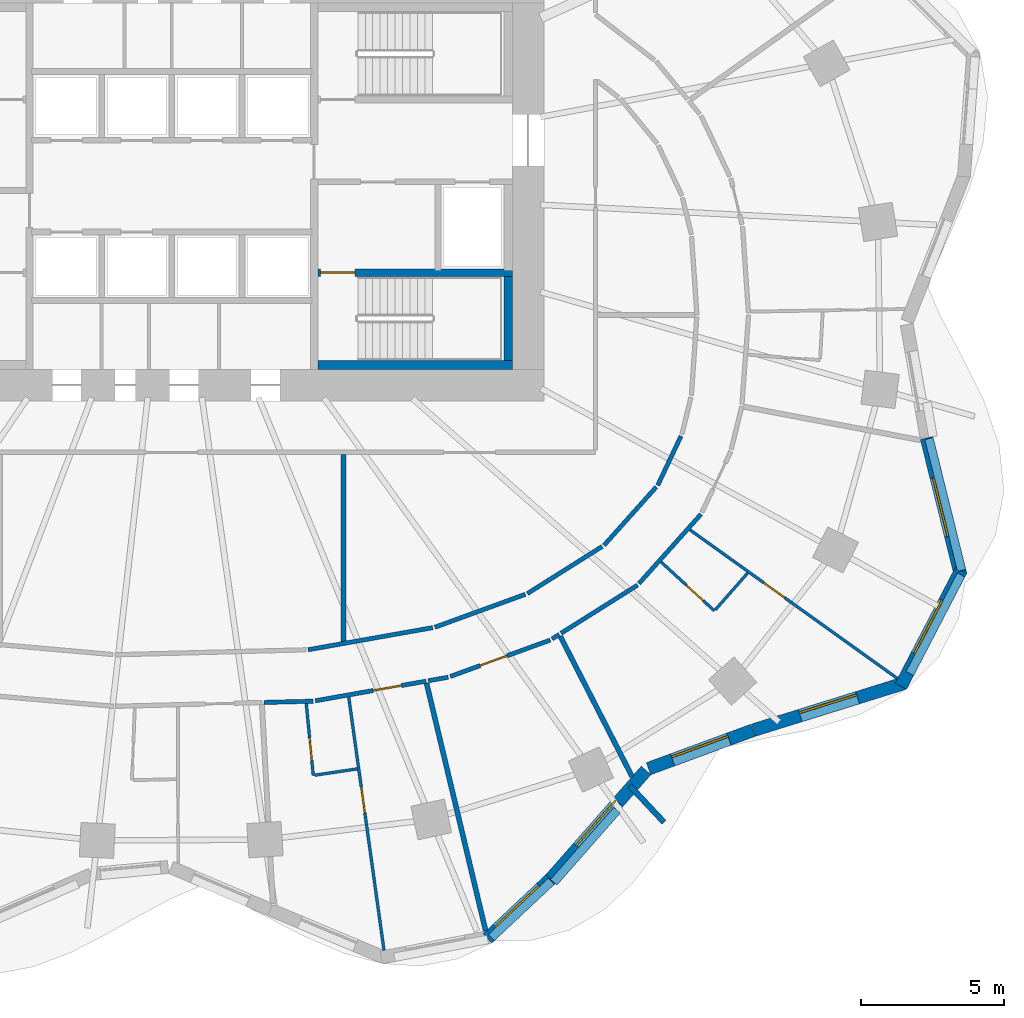
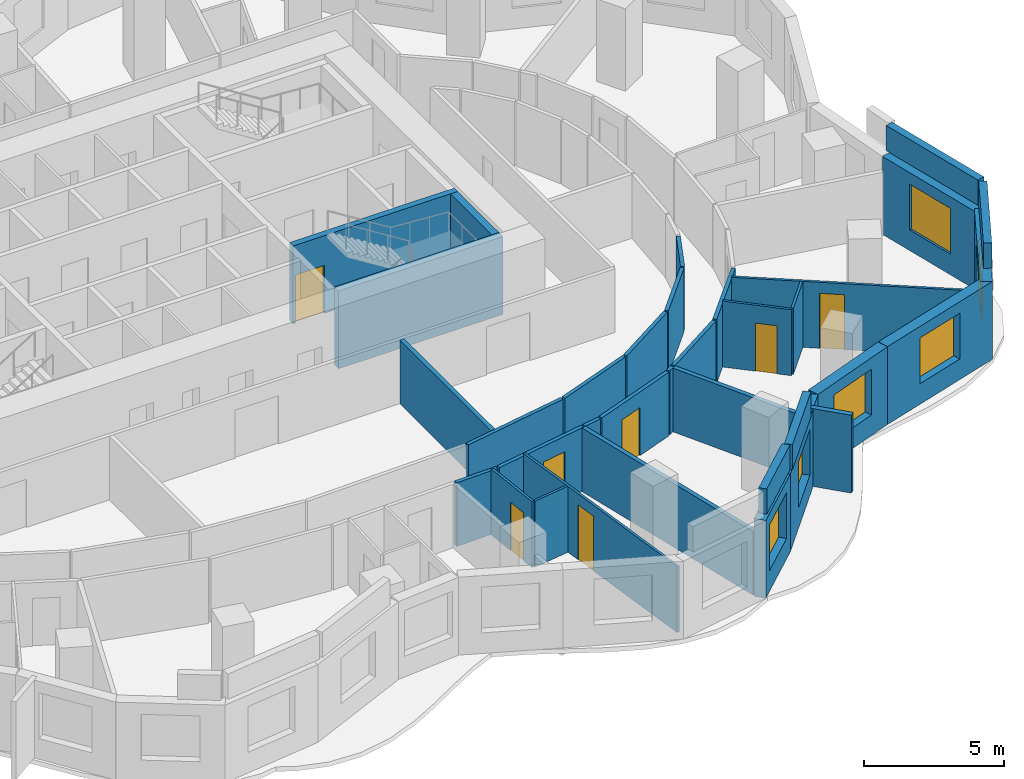
# One storey, part 6 of 10: 35 walls, 7 doors, 6 windows, 13 openings.
"""IFC4 building model written with IfcOpenShell, lengths in metres."""

from ifc_helpers import new_model, si_unit, direction, frame, frame_2d, origin, place, context, subcontext, project, spatial, rectangle, extrude, material, layer, layer_set, type_object, element, fill, save


model = new_model("IFC4")

# Units and contexts
model_context = context("Model", 3, precision=1e-05, world=origin(), true_north=direction((0.0, 1.0)))
body_context = subcontext(model_context, "Body", "Model", "MODEL_VIEW")
ifc_project = project(units=[si_unit("LENGTHUNIT", "METRE"), si_unit("AREAUNIT", "SQUARE_METRE"), si_unit("VOLUMEUNIT", "CUBIC_METRE"), si_unit("PLANEANGLEUNIT", "RADIAN"), si_unit("MASSUNIT", "GRAM", prefix="KILO")], contexts=[model_context])

# Site, building, storey
site_placement = place(None, origin())
site = spatial("IfcSite", under=ifc_project, at=site_placement, CompositionType="ELEMENT")
building_placement = place(site_placement, origin())
building = spatial("IfcBuilding", under=site, at=building_placement, Name="Rubra Terraces Tower", CompositionType="ELEMENT")
storey_placement = place(building_placement, frame((0.0, 0.0, 110.39990234375)))
storey = spatial("IfcBuildingStorey", under=building, at=storey_placement, Name="L26", CompositionType="ELEMENT", Elevation=110.39990234375)

# Walls
ifc_material_1 = material(Name="Twin plasterboard on staggered steel stud, acoustic mineral wool", Category="steel")
ifc_layer_1 = layer(ifc_material_1, 0.175048828125)
ifc_layer_set_1 = layer_set([ifc_layer_1], Name="Twin plasterboard on staggered steel stud, acoustic mineral wool")
wall_type_1 = type_object("IfcWallType", Name="ACOUSTIC PARTY WALL 175", PredefinedType="PARTITIONING", material=ifc_layer_set_1)
wall_1_placement = place(storey_placement, frame((10.96728515625, -21.52099609375, 0.0), z_axis=(0.0, 0.0, 1.0), x_axis=(-0.232333962302, 0.972636072723, 0.0)))
element("IfcWall", 1, at=wall_1_placement, inside=storey, type_object=wall_type_1, Name="PARTITION", PredefinedType="PARTITIONING", context=body_context, shape_type="SweptSolid", body=[
    extrude(rectangle(XDim=8.897216796875, YDim=0.175048828125, at=frame_2d((4.44873046875, 0.0))), origin(), (0.0, 0.0, 1.0), 2.7841796875),
])
wall_2_placement = place(storey_placement, frame((16.078369140625, -16.12451171875, 0.0), z_axis=(0.0, 0.0, 1.0), x_axis=(-0.455535500666, 0.890217618132, 0.0)))
element("IfcWall", 2, at=wall_2_placement, inside=storey, type_object=wall_type_1, Name="PARTITION", PredefinedType="PARTITIONING", context=body_context, shape_type="SweptSolid", body=[
    extrude(rectangle(XDim=5.50244140625, YDim=0.175048828125, at=frame_2d((2.751220703125, 0.0))), origin(), (0.0, 0.0, 1.0), 2.7841796875),
])
wall_3_placement = place(storey_placement, frame((6.0, -11.40234375, 0.0), z_axis=(0.0, 0.0, 1.0), x_axis=(0.0, 1.0, 0.0)))
element("IfcWall", 3, at=wall_3_placement, inside=storey, type_object=wall_type_1, Name="PARTITION", PredefinedType="PARTITIONING", context=body_context, shape_type="SweptSolid", body=[
    extrude(rectangle(XDim=6.52734375, YDim=0.175048828125, at=frame_2d((3.263671875, 0.0))), origin(), (0.0, 0.0, 1.0), 2.7841796875),
])

# Wall, opening, window
ifc_material_2 = material(Name="Brick masonry red-brown", Category="masonry")
ifc_layer_2 = layer(ifc_material_2, 0.449951171875)
ifc_layer_set_2 = layer_set([ifc_layer_2], Name="Brick masonry red-brown")
wall_type_2 = type_object("IfcWallType", Name="Brick facade wall 450", PredefinedType="SOLIDWALL", material=ifc_layer_set_2)
wall_4_placement = place(storey_placement, frame((11.027099609375, -21.779052734375, 0.0), z_axis=(0.0, 0.0, 1.0), x_axis=(0.728871214251, 0.684650825631, 0.0)))
wall_4 = element("IfcWall", 4, at=wall_4_placement, inside=storey, type_object=wall_type_2, Name="Facade wall L26 bay 34", PredefinedType="SOLIDWALL", context=body_context, shape_type="SweptSolid", body=[
    extrude(rectangle(XDim=3.031005859375, YDim=0.449951171875, at=frame_2d((1.515625, 0.0))), origin(), (0.0, 0.0, 1.0), 3.400146484375),
])
opening_1_placement = place(wall_4_placement, frame((0.465576171875, 0.0, 0.89990234375)))
opening_1 = element("IfcOpeningElement", 5, at=opening_1_placement, cuts=wall_4, Name="Opening W1", PredefinedType="OPENING", context=body_context, shape_type="SweptSolid", body=[
    extrude(rectangle(XDim=2.10009765625, YDim=2.0, at=frame_2d((1.050048828125, 1.0))), frame((0.0, 0.23486328125, 0.0), z_axis=(0.0, -1.0, 0.0), x_axis=(1.0, 0.0, 0.0)), (0.0, 0.0, 1.0), 0.469970703125),
])
ifc_material_3 = material(Name="Clear glass in aluminium frame", Category="aluminium")
window_type = type_object("IfcWindowType", Name="Fixed deep-set window 2100 x 2000", PartitioningType="SINGLE_PANEL", PredefinedType="WINDOW", material=ifc_material_3)
window_1_placement = place(opening_1_placement, origin())
window_1 = element("IfcWindow", 6, at=window_1_placement, inside=storey, type_object=window_type, Name="Window L26 bay 34", OverallHeight=2.0, OverallWidth=2.10009765625, PartitioningType="SINGLE_PANEL", PredefinedType="WINDOW", context=body_context, shape_type="SweptSolid", body=[
    extrude(rectangle(XDim=2.10009765625, YDim=2.0, at=frame_2d((1.050048828125, 1.0))), frame((0.0, 0.135009765625, 0.0), z_axis=(0.0, -1.0, 0.0), x_axis=(1.0, 0.0, 0.0)), (0.0, 0.0, 1.0), 0.06005859375),
])
fill(opening_1, window_1)

wall_5_placement = place(storey_placement, frame((13.221435546875, -19.71923828125, 0.0), z_axis=(0.0, 0.0, 1.0), x_axis=(0.660424908916, 0.750892095899, 0.0)))
wall_5 = element("IfcWall", 7, at=wall_5_placement, inside=storey, type_object=wall_type_2, Name="Facade wall L26 bay 35", PredefinedType="SOLIDWALL", context=body_context, shape_type="SweptSolid", body=[
    extrude(rectangle(XDim=5.07080078125, YDim=0.449951171875, at=frame_2d((2.535400390625, 0.0))), origin(), (0.0, 0.0, 1.0), 3.400146484375),
])
opening_2_placement = place(wall_5_placement, frame((1.4853515625, 0.0, 0.89990234375)))
opening_2 = element("IfcOpeningElement", 8, at=opening_2_placement, cuts=wall_5, Name="Opening W1", PredefinedType="OPENING", context=body_context, shape_type="SweptSolid", body=[
    extrude(rectangle(XDim=2.10009765625, YDim=2.0, at=frame_2d((1.050048828125, 1.0))), frame((0.0, 0.23486328125, 0.0), z_axis=(0.0, -1.0, 0.0), x_axis=(1.0, 0.0, 0.0)), (0.0, 0.0, 1.0), 0.469970703125),
])
window_2_placement = place(opening_2_placement, origin())
window_2 = element("IfcWindow", 9, at=window_2_placement, inside=storey, type_object=window_type, Name="Window L26 bay 35", OverallHeight=2.0, OverallWidth=2.10009765625, PartitioningType="SINGLE_PANEL", PredefinedType="WINDOW", context=body_context, shape_type="SweptSolid", body=[
    extrude(rectangle(XDim=2.10009765625, YDim=2.0, at=frame_2d((1.050048828125, 1.0))), frame((0.0, 0.135009765625, 0.0), z_axis=(0.0, -1.0, 0.0), x_axis=(1.0, 0.0, 0.0)), (0.0, 0.0, 1.0), 0.06005859375),
])
fill(opening_2, window_2)

wall_6_placement = place(storey_placement, frame((16.654052734375, -15.85205078125, 0.0), z_axis=(0.0, 0.0, 1.0), x_axis=(0.938636568132, 0.344907803572, 0.0)))
wall_6 = element("IfcWall", 10, at=wall_6_placement, inside=storey, type_object=wall_type_2, Name="Facade wall L26 bay 36", PredefinedType="SOLIDWALL", context=body_context, shape_type="SweptSolid", body=[
    extrude(rectangle(XDim=3.887451171875, YDim=0.449951171875, at=frame_2d((1.94384765625, 0.0))), origin(), (0.0, 0.0, 1.0), 3.400146484375),
])
opening_3_placement = place(wall_6_placement, frame((0.893798828125, 0.0, 0.89990234375)))
opening_3 = element("IfcOpeningElement", 11, at=opening_3_placement, cuts=wall_6, Name="Opening W1", PredefinedType="OPENING", context=body_context, shape_type="SweptSolid", body=[
    extrude(rectangle(XDim=2.10009765625, YDim=2.0, at=frame_2d((1.050048828125, 1.0))), frame((0.0, 0.23486328125, 0.0), z_axis=(0.0, -1.0, 0.0), x_axis=(1.0, 0.0, 0.0)), (0.0, 0.0, 1.0), 0.469970703125),
])
window_3_placement = place(opening_3_placement, origin())
window_3 = element("IfcWindow", 12, at=window_3_placement, inside=storey, type_object=window_type, Name="Window L26 bay 36", OverallHeight=2.0, OverallWidth=2.10009765625, PartitioningType="SINGLE_PANEL", PredefinedType="WINDOW", context=body_context, shape_type="SweptSolid", body=[
    extrude(rectangle(XDim=2.10009765625, YDim=2.0, at=frame_2d((1.050048828125, 1.0))), frame((0.0, 0.135009765625, 0.0), z_axis=(0.0, -1.0, 0.0), x_axis=(1.0, 0.0, 0.0)), (0.0, 0.0, 1.0), 0.06005859375),
])
fill(opening_3, window_3)

wall_7_placement = place(storey_placement, frame((20.31591796875, -14.506591796875, 0.0), z_axis=(0.0, 0.0, 1.0), x_axis=(0.954807195185, 0.297225873743, 0.0)))
wall_7 = element("IfcWall", 13, at=wall_7_placement, inside=storey, type_object=wall_type_2, Name="Facade wall L26 bay 37", PredefinedType="SOLIDWALL", context=body_context, shape_type="SweptSolid", body=[
    extrude(rectangle(XDim=5.5263671875, YDim=0.449951171875, at=frame_2d((2.76318359375, 0.0))), origin(), (0.0, 0.0, 1.0), 3.400146484375),
])
opening_4_placement = place(wall_7_placement, frame((1.713134765625, 0.0, 0.89990234375)))
opening_4 = element("IfcOpeningElement", 14, at=opening_4_placement, cuts=wall_7, Name="Opening W1", PredefinedType="OPENING", context=body_context, shape_type="SweptSolid", body=[
    extrude(rectangle(XDim=2.10009765625, YDim=2.0, at=frame_2d((1.050048828125, 1.0))), frame((0.0, 0.23486328125, 0.0), z_axis=(0.0, -1.0, 0.0), x_axis=(1.0, 0.0, 0.0)), (0.0, 0.0, 1.0), 0.469970703125),
])
window_4_placement = place(opening_4_placement, origin())
window_4 = element("IfcWindow", 15, at=window_4_placement, inside=storey, type_object=window_type, Name="Window L26 bay 37", OverallHeight=2.0, OverallWidth=2.10009765625, PartitioningType="SINGLE_PANEL", PredefinedType="WINDOW", context=body_context, shape_type="SweptSolid", body=[
    extrude(rectangle(XDim=2.10009765625, YDim=2.0, at=frame_2d((1.050048828125, 1.0))), frame((0.0, 0.135009765625, 0.0), z_axis=(0.0, -1.0, 0.0), x_axis=(1.0, 0.0, 0.0)), (0.0, 0.0, 1.0), 0.06005859375),
])
fill(opening_4, window_4)

wall_8_placement = place(storey_placement, frame((25.46533203125, -12.97314453125, 0.0), z_axis=(0.0, 0.0, 1.0), x_axis=(0.461288789222, 0.887250050965, 0.0)))
wall_8 = element("IfcWall", 16, at=wall_8_placement, inside=storey, type_object=wall_type_2, Name="Facade wall L26 bay 38", PredefinedType="SOLIDWALL", context=body_context, shape_type="SweptSolid", body=[
    extrude(rectangle(XDim=4.568115234375, YDim=0.449951171875, at=frame_2d((2.2841796875, 0.0))), origin(), (0.0, 0.0, 1.0), 3.400146484375),
])
opening_5_placement = place(wall_8_placement, frame((1.23388671875, 0.0, 0.89990234375)))
opening_5 = element("IfcOpeningElement", 17, at=opening_5_placement, cuts=wall_8, Name="Opening W1", PredefinedType="OPENING", context=body_context, shape_type="SweptSolid", body=[
    extrude(rectangle(XDim=2.10009765625, YDim=2.0, at=frame_2d((1.050048828125, 1.0))), frame((0.0, 0.23486328125, 0.0), z_axis=(0.0, -1.0, 0.0), x_axis=(1.0, 0.0, 0.0)), (0.0, 0.0, 1.0), 0.469970703125),
])
window_5_placement = place(opening_5_placement, origin())
window_5 = element("IfcWindow", 18, at=window_5_placement, inside=storey, type_object=window_type, Name="Window L26 bay 38", OverallHeight=2.0, OverallWidth=2.10009765625, PartitioningType="SINGLE_PANEL", PredefinedType="WINDOW", context=body_context, shape_type="SweptSolid", body=[
    extrude(rectangle(XDim=2.10009765625, YDim=2.0, at=frame_2d((1.050048828125, 1.0))), frame((0.0, 0.135009765625, 0.0), z_axis=(0.0, -1.0, 0.0), x_axis=(1.0, 0.0, 0.0)), (0.0, 0.0, 1.0), 0.06005859375),
])
fill(opening_5, window_5)

wall_9_placement = place(storey_placement, frame((27.552001953125, -9.07177734375, 0.0), z_axis=(0.0, 0.0, 1.0), x_axis=(-0.240629941406, 0.970616933347, 0.0)))
wall_9 = element("IfcWall", 19, at=wall_9_placement, inside=storey, type_object=wall_type_2, Name="Facade wall L26 bay 39", PredefinedType="SOLIDWALL", context=body_context, shape_type="SweptSolid", body=[
    extrude(rectangle(XDim=4.91455078125, YDim=0.449951171875, at=frame_2d((2.457275390625, 0.0))), origin(), (0.0, 0.0, 1.0), 3.400146484375),
])
opening_6_placement = place(wall_9_placement, frame((1.407470703125, 0.0, 0.89990234375)))
opening_6 = element("IfcOpeningElement", 20, at=opening_6_placement, cuts=wall_9, Name="Opening W1", PredefinedType="OPENING", context=body_context, shape_type="SweptSolid", body=[
    extrude(rectangle(XDim=2.10009765625, YDim=2.0, at=frame_2d((1.050048828125, 1.0))), frame((0.0, 0.23486328125, 0.0), z_axis=(0.0, -1.0, 0.0), x_axis=(1.0, 0.0, 0.0)), (0.0, 0.0, 1.0), 0.469970703125),
])
window_6_placement = place(opening_6_placement, origin())
window_6 = element("IfcWindow", 21, at=window_6_placement, inside=storey, type_object=window_type, Name="Window L26 bay 39", OverallHeight=2.0, OverallWidth=2.10009765625, PartitioningType="SINGLE_PANEL", PredefinedType="WINDOW", context=body_context, shape_type="SweptSolid", body=[
    extrude(rectangle(XDim=2.10009765625, YDim=2.0, at=frame_2d((1.050048828125, 1.0))), frame((0.0, 0.135009765625, 0.0), z_axis=(0.0, -1.0, 0.0), x_axis=(1.0, 0.0, 0.0)), (0.0, 0.0, 1.0), 0.06005859375),
])
fill(opening_6, window_6)

# Walls
ifc_layer_3 = layer(ifc_material_2, 0.300048828125)
ifc_layer_set_3 = layer_set([ifc_layer_3], Name="Brick masonry red-brown")
wall_type_3 = type_object("IfcWallType", Name="Brick parapet 300", PredefinedType="PARAPET", material=ifc_layer_set_3)
wall_10_placement = place(storey_placement, frame((11.163818359375, -21.75341796875, 3.60009765625), z_axis=(0.0, 0.0, 1.0), x_axis=(0.72886475222, 0.684657704967, 0.0)))
element("IfcWall", 22, at=wall_10_placement, inside=storey, type_object=wall_type_3, Name="Parapet L26 bay 34", PredefinedType="PARAPET", context=body_context, shape_type="SweptSolid", body=[
    extrude(rectangle(XDim=2.877197265625, YDim=0.300048828125, at=frame_2d((1.4384765625, 0.0))), origin(), (0.0, 0.0, 1.0), 1.10009765625),
])
wall_11_placement = place(storey_placement, frame((13.338623046875, -19.822265625, 3.60009765625), z_axis=(0.0, 0.0, 1.0), x_axis=(0.660445690116, 0.7508738179, 0.0)))
element("IfcWall", 23, at=wall_11_placement, inside=storey, type_object=wall_type_3, Name="Parapet L26 bay 35", PredefinedType="PARAPET", context=body_context, shape_type="SweptSolid", body=[
    extrude(rectangle(XDim=3.353271484375, YDim=0.300048828125, at=frame_2d((1.6767578125, 0.0))), origin(), (0.0, 0.0, 1.0), 1.10009765625),
])
wall_12_placement = place(storey_placement, frame((25.781982421875, -12.52685546875, 3.60009765625), z_axis=(0.0, 0.0, 1.0), x_axis=(0.461218103562, 0.88728679746, 0.0)))
element("IfcWall", 24, at=wall_12_placement, inside=storey, type_object=wall_type_3, Name="Parapet L26 bay 38", PredefinedType="PARAPET", context=body_context, shape_type="SweptSolid", body=[
    extrude(rectangle(XDim=3.8828125, YDim=0.300048828125, at=frame_2d((1.94140625, 0.0))), origin(), (0.0, 0.0, 1.0), 1.10009765625),
])
wall_13_placement = place(storey_placement, frame((27.591796875, -8.9208984375, 3.60009765625), z_axis=(0.0, 0.0, 1.0), x_axis=(-0.240669381496, 0.970607154729, 0.0)))
element("IfcWall", 25, at=wall_13_placement, inside=storey, type_object=wall_type_3, Name="Parapet L26 bay 39", PredefinedType="PARAPET", context=body_context, shape_type="SweptSolid", body=[
    extrude(rectangle(XDim=4.741455078125, YDim=0.300048828125, at=frame_2d((2.37060546875, 0.0))), origin(), (0.0, 0.0, 1.0), 1.10009765625),
])
ifc_layer_4 = layer(ifc_material_2, 0.199951171875)
ifc_layer_set_4 = layer_set([ifc_layer_4], Name="Brick masonry red-brown")
wall_type_4 = type_object("IfcWallType", Name="Brick wind fin 200", PredefinedType="SOLIDWALL", material=ifc_layer_set_4)
wall_14_placement = place(storey_placement, frame((15.9951171875, -16.444091796875, 0.0), z_axis=(0.0, 0.0, 1.0), x_axis=(0.683852936488, -0.729619874494, 0.0)))
element("IfcWall", 26, at=wall_14_placement, inside=storey, type_object=wall_type_4, Name="Wind fin L26 21", PredefinedType="SOLIDWALL", context=body_context, shape_type="SweptSolid", body=[
    extrude(rectangle(XDim=1.749755859375, YDim=0.199951171875, at=frame_2d((0.875, 0.0))), origin(), (0.0, 0.0, 1.0), 3.400146484375),
])
ifc_material_4 = material(Name="Plasterboard on steel stud, mineral wool infill", Category="steel")
ifc_layer_5 = layer(ifc_material_4, 0.14990234375)
ifc_layer_set_5 = layer_set([ifc_layer_5], Name="Plasterboard on steel stud, mineral wool infill")
wall_type_5 = type_object("IfcWallType", Name="CORRIDOR PARTITION 150", PredefinedType="PARTITIONING", material=ifc_layer_set_5)
wall_15_placement = place(storey_placement, frame((3.22119140625, -13.537841796875, 0.0), z_axis=(0.0, 0.0, 1.0), x_axis=(0.999666376444, 0.025828972248, 0.0)))
element("IfcWall", 27, at=wall_15_placement, inside=storey, type_object=wall_type_5, Name="PARTITION", PredefinedType="PARTITIONING", context=body_context, shape_type="SweptSolid", body=[
    extrude(rectangle(XDim=1.72021484375, YDim=0.14990234375, at=frame_2d((0.860107421875, 0.0))), origin(), (0.0, 0.0, 1.0), 2.7841796875),
])

# Wall, opening, door
wall_16_placement = place(storey_placement, frame((5.0146484375, -13.480224609375, 0.0), z_axis=(0.0, 0.0, 1.0), x_axis=(0.984634298251, 0.174629031689, 0.0)))
wall_16 = element("IfcWall", 28, at=wall_16_placement, inside=storey, type_object=wall_type_5, Name="PARTITION", PredefinedType="PARTITIONING", context=body_context, shape_type="SweptSolid", body=[
    extrude(rectangle(XDim=3.928466796875, YDim=0.14990234375, at=frame_2d((1.96435546875, 0.0))), origin(), (0.0, 0.0, 1.0), 2.7841796875),
])
opening_7_placement = place(wall_16_placement, frame((2.051025390625, 0.0, 0.0)))
opening_7 = element("IfcOpeningElement", 29, at=opening_7_placement, cuts=wall_16, Name="Opening 26-109", PredefinedType="OPENING", context=body_context, shape_type="SweptSolid", body=[
    extrude(rectangle(XDim=1.0, YDim=2.10009765625, at=frame_2d((0.5, 1.050048828125))), frame((0.0, 0.0849609375, 0.0), z_axis=(0.0, -1.0, 0.0), x_axis=(1.0, 0.0, 0.0)), (0.0, 0.0, 1.0), 0.169921875),
])
ifc_material_5 = material(Name="Painted timber door leaf", Category="wood")
door_type_1 = type_object("IfcDoorType", Name="ROOM DOOR 1000 X 2100", OperationType="SINGLE_SWING_LEFT", PredefinedType="DOOR", material=ifc_material_5)
door_1_placement = place(opening_7_placement, origin())
door_1 = element("IfcDoor", 30, at=door_1_placement, inside=storey, type_object=door_type_1, Name="DOOR 26-109", OperationType="SINGLE_SWING_RIGHT", OverallHeight=2.10009765625, OverallWidth=1.0, PredefinedType="DOOR", context=body_context, shape_type="SweptSolid", body=[
    extrude(rectangle(XDim=1.0, YDim=2.10009765625, at=frame_2d((0.5, 1.050048828125))), frame((0.0, 0.02490234375, 0.0), z_axis=(0.0, -1.0, 0.0), x_axis=(1.0, 0.0, 0.0)), (0.0, 0.0, 1.0), 0.050048828125),
])
fill(opening_7, door_1)

# Wall
wall_17_placement = place(storey_placement, frame((8.95654296875, -12.781005859375, 0.0), z_axis=(0.0, 0.0, 1.0), x_axis=(0.984683194841, 0.17435310665, 0.0)))
element("IfcWall", 31, at=wall_17_placement, inside=storey, type_object=wall_type_5, Name="PARTITION", PredefinedType="PARTITIONING", context=body_context, shape_type="SweptSolid", body=[
    extrude(rectangle(XDim=0.71142578125, YDim=0.14990234375, at=frame_2d((0.355712890625, 0.0))), origin(), (0.0, 0.0, 1.0), 2.7841796875),
])

# Wall, opening, door
wall_18_placement = place(storey_placement, frame((9.7275390625, -12.631103515625, 0.0), z_axis=(0.0, 0.0, 1.0), x_axis=(0.939626438181, 0.342201923826, 0.0)))
wall_18 = element("IfcWall", 32, at=wall_18_placement, inside=storey, type_object=wall_type_5, Name="PARTITION", PredefinedType="PARTITIONING", context=body_context, shape_type="SweptSolid", body=[
    extrude(rectangle(XDim=3.71630859375, YDim=0.14990234375, at=frame_2d((1.858154296875, 0.0))), origin(), (0.0, 0.0, 1.0), 2.7841796875),
])
opening_8_placement = place(wall_18_placement, frame((1.114990234375, 0.0, 0.0)))
opening_8 = element("IfcOpeningElement", 33, at=opening_8_placement, cuts=wall_18, Name="Opening 26-110", PredefinedType="OPENING", context=body_context, shape_type="SweptSolid", body=[
    extrude(rectangle(XDim=1.0, YDim=2.10009765625, at=frame_2d((0.5, 1.050048828125))), frame((0.0, 0.0849609375, 0.0), z_axis=(0.0, -1.0, 0.0), x_axis=(1.0, 0.0, 0.0)), (0.0, 0.0, 1.0), 0.169921875),
])
door_2_placement = place(opening_8_placement, origin())
door_2 = element("IfcDoor", 34, at=door_2_placement, inside=storey, type_object=door_type_1, Name="DOOR 26-110", OperationType="SINGLE_SWING_RIGHT", OverallHeight=2.10009765625, OverallWidth=1.0, PredefinedType="DOOR", context=body_context, shape_type="SweptSolid", body=[
    extrude(rectangle(XDim=1.0, YDim=2.10009765625, at=frame_2d((0.5, 1.050048828125))), frame((0.0, 0.02490234375, 0.0), z_axis=(0.0, -1.0, 0.0), x_axis=(1.0, 0.0, 0.0)), (0.0, 0.0, 1.0), 0.050048828125),
])
fill(opening_8, door_2)

# Walls
wall_19_placement = place(storey_placement, frame((13.282958984375, -11.3193359375, 0.0), z_axis=(0.0, 0.0, 1.0), x_axis=(0.846490250249, 0.532404222592, 0.0)))
element("IfcWall", 35, at=wall_19_placement, inside=storey, type_object=wall_type_5, Name="PARTITION", PredefinedType="PARTITIONING", context=body_context, shape_type="SweptSolid", body=[
    extrude(rectangle(XDim=0.30078125, YDim=0.14990234375, at=frame_2d((0.150390625, 0.0))), origin(), (0.0, 0.0, 1.0), 2.7841796875),
])
wall_20_placement = place(storey_placement, frame((13.60107421875, -11.119140625, 0.0), z_axis=(0.0, 0.0, 1.0), x_axis=(0.846302624213, 0.532702419978, 0.0)))
element("IfcWall", 36, at=wall_20_placement, inside=storey, type_object=wall_type_5, Name="PARTITION", PredefinedType="PARTITIONING", context=body_context, shape_type="SweptSolid", body=[
    extrude(rectangle(XDim=3.154541015625, YDim=0.14990234375, at=frame_2d((1.5771484375, 0.0))), origin(), (0.0, 0.0, 1.0), 2.7841796875),
])
wall_21_placement = place(storey_placement, frame((16.32080078125, -9.3828125, 0.0), z_axis=(0.0, 0.0, 1.0), x_axis=(0.666834356165, 0.745205972492, 0.0)))
element("IfcWall", 37, at=wall_21_placement, inside=storey, type_object=wall_type_5, Name="PARTITION", PredefinedType="PARTITIONING", context=body_context, shape_type="SweptSolid", body=[
    extrude(rectangle(XDim=3.252197265625, YDim=0.14990234375, at=frame_2d((1.6259765625, 0.0))), origin(), (0.0, 0.0, 1.0), 2.7841796875),
])
wall_22_placement = place(storey_placement, frame((17.7900390625, -4.2314453125, 0.0), z_axis=(0.0, 0.0, 1.0), x_axis=(-0.428042272357, -0.90375871397, 0.0)))
element("IfcWall", 38, at=wall_22_placement, inside=storey, type_object=wall_type_5, Name="PARTITION", PredefinedType="PARTITIONING", context=body_context, shape_type="SweptSolid", body=[
    extrude(rectangle(XDim=1.905029296875, YDim=0.14990234375, at=frame_2d((0.95263671875, 0.0))), origin(), (0.0, 0.0, 1.0), 2.7841796875),
])
wall_23_placement = place(storey_placement, frame((16.924560546875, -6.009033203125, 0.0), z_axis=(0.0, 0.0, 1.0), x_axis=(-0.666893859891, -0.745152722359, 0.0)))
element("IfcWall", 39, at=wall_23_placement, inside=storey, type_object=wall_type_5, Name="PARTITION", PredefinedType="PARTITIONING", context=body_context, shape_type="SweptSolid", body=[
    extrude(rectangle(XDim=2.739013671875, YDim=0.14990234375, at=frame_2d((1.36962890625, 0.0))), origin(), (0.0, 0.0, 1.0), 2.7841796875),
])
wall_24_placement = place(storey_placement, frame((15.034423828125, -8.090087890625, 0.0), z_axis=(0.0, 0.0, 1.0), x_axis=(-0.846322679414, -0.532670557014, 0.0)))
element("IfcWall", 40, at=wall_24_placement, inside=storey, type_object=wall_type_5, Name="PARTITION", PredefinedType="PARTITIONING", context=body_context, shape_type="SweptSolid", body=[
    extrude(rectangle(XDim=3.08544921875, YDim=0.14990234375, at=frame_2d((1.542724609375, 0.0))), origin(), (0.0, 0.0, 1.0), 2.7841796875),
])
wall_25_placement = place(storey_placement, frame((12.3525390625, -9.759521484375, 0.0), z_axis=(0.0, 0.0, 1.0), x_axis=(-0.939632450309, -0.342185415127, 0.0)))
element("IfcWall", 41, at=wall_25_placement, inside=storey, type_object=wall_type_5, Name="PARTITION", PredefinedType="PARTITIONING", context=body_context, shape_type="SweptSolid", body=[
    extrude(rectangle(XDim=3.36767578125, YDim=0.14990234375, at=frame_2d((1.683837890625, 0.0))), origin(), (0.0, 0.0, 1.0), 2.7841796875),
])
wall_26_placement = place(storey_placement, frame((9.114501953125, -10.925048828125, 0.0), z_axis=(0.0, 0.0, 1.0), x_axis=(-0.984632605417, -0.174638576352, 0.0)))
element("IfcWall", 42, at=wall_26_placement, inside=storey, type_object=wall_type_5, Name="PARTITION", PredefinedType="PARTITIONING", context=body_context, shape_type="SweptSolid", body=[
    extrude(rectangle(XDim=4.423095703125, YDim=0.14990234375, at=frame_2d((2.21142578125, 0.0))), origin(), (0.0, 0.0, 1.0), 2.7841796875),
])
ifc_material_6 = material(Name="Concrete C40", Category="concrete")
ifc_layer_6 = layer(ifc_material_6, 0.300048828125)
ifc_layer_set_6 = layer_set([ifc_layer_6], Name="Concrete C40")
wall_type_6 = type_object("IfcWallType", Name="Core lining wall 300 concrete", PredefinedType="SOLIDWALL", material=ifc_layer_set_6)
wall_27_placement = place(storey_placement, frame((11.75, 1.35009765625, 0.0), z_axis=(0.0, 0.0, 1.0), x_axis=(0.0, -1.0, 0.0)))
element("IfcWall", 43, at=wall_27_placement, inside=storey, type_object=wall_type_6, Name="CORE LINING WALL L26", PredefinedType="SOLIDWALL", context=body_context, shape_type="SweptSolid", body=[
    extrude(rectangle(XDim=2.9501953125, YDim=0.300048828125, at=frame_2d((1.47509765625, 0.0))), origin(), (0.0, 0.0, 1.0), 3.400146484375),
])
wall_28_placement = place(storey_placement, frame((11.89990234375, -1.75, 0.0), z_axis=(0.0, 0.0, 1.0), x_axis=(-1.0, 0.0, 0.0)))
element("IfcWall", 44, at=wall_28_placement, inside=storey, type_object=wall_type_6, Name="CORE LINING WALL L26", PredefinedType="SOLIDWALL", context=body_context, shape_type="SweptSolid", body=[
    extrude(rectangle(XDim=6.7998046875, YDim=0.300048828125, at=frame_2d((3.39990234375, 0.0))), origin(), (0.0, 0.0, 1.0), 3.400146484375),
])

# Wall, opening, door
ifc_material_7 = material(Name="Plasterboard on steel stud", Category="steel")
ifc_layer_7 = layer(ifc_material_7, 0.10009765625)
ifc_layer_set_7 = layer_set([ifc_layer_7], Name="Plasterboard on steel stud")
wall_type_7 = type_object("IfcWallType", Name="ROOM PARTITION 100", PredefinedType="PARTITIONING", material=ifc_layer_set_7)
wall_29_placement = place(storey_placement, frame((7.41357421875, -22.196044921875, 0.0), z_axis=(0.0, 0.0, 1.0), x_axis=(-0.13798028852, 0.99043497514, 0.0)))
wall_29 = element("IfcWall", 45, at=wall_29_placement, inside=storey, type_object=wall_type_7, Name="PARTITION", PredefinedType="PARTITIONING", context=body_context, shape_type="SweptSolid", body=[
    extrude(rectangle(XDim=8.931884765625, YDim=0.10009765625, at=frame_2d((4.4658203125, 0.0))), origin(), (0.0, 0.0, 1.0), 2.884033203125),
])
opening_9_placement = place(wall_29_placement, frame((4.85693359375, 0.0, 0.0)))
opening_9 = element("IfcOpeningElement", 46, at=opening_9_placement, cuts=wall_29, Name="Opening 26-108", PredefinedType="OPENING", context=body_context, shape_type="SweptSolid", body=[
    extrude(rectangle(XDim=0.89990234375, YDim=2.39990234375, at=frame_2d((0.449951171875, 1.199951171875))), frame((0.0, 0.06005859375, 0.0), z_axis=(0.0, -1.0, 0.0), x_axis=(1.0, 0.0, 0.0)), (0.0, 0.0, 1.0), 0.1201171875),
])
ifc_material_8 = material(Name="Veneered timber door leaf, fire-rated", Category="wood")
door_type_2 = type_object("IfcDoorType", Name="SUITE ENTRANCE DOOR 900 X 2400", OperationType="SINGLE_SWING_LEFT", PredefinedType="DOOR", material=ifc_material_8)
door_3_placement = place(opening_9_placement, origin())
door_3 = element("IfcDoor", 47, at=door_3_placement, inside=storey, type_object=door_type_2, Name="DOOR 26-108", OperationType="SINGLE_SWING_LEFT", OverallHeight=2.39990234375, OverallWidth=0.89990234375, PredefinedType="DOOR", context=body_context, shape_type="SweptSolid", body=[
    extrude(rectangle(XDim=0.89990234375, YDim=2.39990234375, at=frame_2d((0.449951171875, 1.199951171875))), frame((0.0, 0.02490234375, 0.0), z_axis=(0.0, -1.0, 0.0), x_axis=(1.0, 0.0, 0.0)), (0.0, 0.0, 1.0), 0.050048828125),
])
fill(opening_9, door_3)

wall_30_placement = place(storey_placement, frame((4.697509765625, -13.574462890625, 0.0), z_axis=(0.0, 0.0, 1.0), x_axis=(0.097081274937, -0.9952764571, 0.0)))
wall_30 = element("IfcWall", 48, at=wall_30_placement, inside=storey, type_object=wall_type_7, Name="PARTITION", PredefinedType="PARTITIONING", context=body_context, shape_type="SweptSolid", body=[
    extrude(rectangle(XDim=2.52490234375, YDim=0.10009765625, at=frame_2d((1.262451171875, 0.0))), origin(), (0.0, 0.0, 1.0), 2.884033203125),
])
opening_10_placement = place(wall_30_placement, frame((1.199951171875, 0.0, 0.0)))
opening_10 = element("IfcOpeningElement", 49, at=opening_10_placement, cuts=wall_30, Name="Opening 26-107", PredefinedType="OPENING", context=body_context, shape_type="SweptSolid", body=[
    extrude(rectangle(XDim=0.800048828125, YDim=2.10009765625, at=frame_2d((0.39990234375, 1.050048828125))), frame((0.0, 0.06005859375, 0.0), z_axis=(0.0, -1.0, 0.0), x_axis=(1.0, 0.0, 0.0)), (0.0, 0.0, 1.0), 0.1201171875),
])
door_type_3 = type_object("IfcDoorType", Name="BATHROOM DOOR 800 X 2100", OperationType="SINGLE_SWING_LEFT", PredefinedType="DOOR", material=ifc_material_5)
door_4_placement = place(opening_10_placement, origin())
door_4 = element("IfcDoor", 50, at=door_4_placement, inside=storey, type_object=door_type_3, Name="DOOR 26-107", OperationType="SINGLE_SWING_LEFT", OverallHeight=2.10009765625, OverallWidth=0.800048828125, PredefinedType="DOOR", context=body_context, shape_type="SweptSolid", body=[
    extrude(rectangle(XDim=0.800048828125, YDim=2.10009765625, at=frame_2d((0.39990234375, 1.050048828125))), frame((0.0, 0.02490234375, 0.0), z_axis=(0.0, -1.0, 0.0), x_axis=(1.0, 0.0, 0.0)), (0.0, 0.0, 1.0), 0.050048828125),
])
fill(opening_10, door_4)

# Wall
wall_31_placement = place(storey_placement, frame((4.9921875, -16.080078125, 0.0), z_axis=(0.0, 0.0, 1.0), x_axis=(0.989010035821, 0.147848398857, 0.0)))
element("IfcWall", 51, at=wall_31_placement, inside=storey, type_object=wall_type_7, Name="PARTITION", PredefinedType="PARTITIONING", context=body_context, shape_type="SweptSolid", body=[
    extrude(rectangle(XDim=1.50439453125, YDim=0.10009765625, at=frame_2d((0.752197265625, 0.0))), origin(), (0.0, 0.0, 1.0), 2.884033203125),
])

# Wall, opening, door
wall_32_placement = place(storey_placement, frame((25.347900390625, -12.7001953125, 0.0), z_axis=(0.0, 0.0, 1.0), x_axis=(-0.812896417151, 0.582408288903, 0.0)))
wall_32 = element("IfcWall", 52, at=wall_32_placement, inside=storey, type_object=wall_type_7, Name="PARTITION", PredefinedType="PARTITIONING", context=body_context, shape_type="SweptSolid", body=[
    extrude(rectangle(XDim=8.91650390625, YDim=0.10009765625, at=frame_2d((4.458251953125, 0.0))), origin(), (0.0, 0.0, 1.0), 2.884033203125),
])
opening_11_placement = place(wall_32_placement, frame((4.842041015625, 0.0, 0.0)))
opening_11 = element("IfcOpeningElement", 53, at=opening_11_placement, cuts=wall_32, Name="Opening 26-112", PredefinedType="OPENING", context=body_context, shape_type="SweptSolid", body=[
    extrude(rectangle(XDim=0.89990234375, YDim=2.39990234375, at=frame_2d((0.449951171875, 1.199951171875))), frame((0.0, 0.06005859375, 0.0), z_axis=(0.0, -1.0, 0.0), x_axis=(1.0, 0.0, 0.0)), (0.0, 0.0, 1.0), 0.1201171875),
])
door_5_placement = place(opening_11_placement, origin())
door_5 = element("IfcDoor", 54, at=door_5_placement, inside=storey, type_object=door_type_2, Name="DOOR 26-112", OperationType="SINGLE_SWING_LEFT", OverallHeight=2.39990234375, OverallWidth=0.89990234375, PredefinedType="DOOR", context=body_context, shape_type="SweptSolid", body=[
    extrude(rectangle(XDim=0.89990234375, YDim=2.39990234375, at=frame_2d((0.449951171875, 1.199951171875))), frame((0.0, 0.02490234375, 0.0), z_axis=(0.0, -1.0, 0.0), x_axis=(1.0, 0.0, 0.0)), (0.0, 0.0, 1.0), 0.050048828125),
])
fill(opening_11, door_5)

wall_33_placement = place(storey_placement, frame((17.093505859375, -8.6318359375, 0.0), z_axis=(0.0, 0.0, 1.0), x_axis=(0.737555367088, -0.675286665409, 0.0)))
wall_33 = element("IfcWall", 55, at=wall_33_placement, inside=storey, type_object=wall_type_7, Name="PARTITION", PredefinedType="PARTITIONING", context=body_context, shape_type="SweptSolid", body=[
    extrude(rectangle(XDim=2.52490234375, YDim=0.10009765625, at=frame_2d((1.262451171875, 0.0))), origin(), (0.0, 0.0, 1.0), 2.884033203125),
])
opening_12_placement = place(wall_33_placement, frame((1.199951171875, 0.0, 0.0)))
opening_12 = element("IfcOpeningElement", 56, at=opening_12_placement, cuts=wall_33, Name="Opening 26-111", PredefinedType="OPENING", context=body_context, shape_type="SweptSolid", body=[
    extrude(rectangle(XDim=0.800048828125, YDim=2.10009765625, at=frame_2d((0.39990234375, 1.050048828125))), frame((0.0, 0.06005859375, 0.0), z_axis=(0.0, -1.0, 0.0), x_axis=(1.0, 0.0, 0.0)), (0.0, 0.0, 1.0), 0.1201171875),
])
door_6_placement = place(opening_12_placement, origin())
door_6 = element("IfcDoor", 57, at=door_6_placement, inside=storey, type_object=door_type_3, Name="DOOR 26-111", OperationType="SINGLE_SWING_LEFT", OverallHeight=2.10009765625, OverallWidth=0.800048828125, PredefinedType="DOOR", context=body_context, shape_type="SweptSolid", body=[
    extrude(rectangle(XDim=0.800048828125, YDim=2.10009765625, at=frame_2d((0.39990234375, 1.050048828125))), frame((0.0, 0.02490234375, 0.0), z_axis=(0.0, -1.0, 0.0), x_axis=(1.0, 0.0, 0.0)), (0.0, 0.0, 1.0), 0.050048828125),
])
fill(opening_12, door_6)

# Wall
wall_34_placement = place(storey_placement, frame((18.98876953125, -10.299560546875, 0.0), z_axis=(0.0, 0.0, 1.0), x_axis=(0.66057320525, 0.750761640273, 0.0)))
element("IfcWall", 58, at=wall_34_placement, inside=storey, type_object=wall_type_7, Name="PARTITION", PredefinedType="PARTITIONING", context=body_context, shape_type="SweptSolid", body=[
    extrude(rectangle(XDim=1.7109375, YDim=0.10009765625, at=frame_2d((0.85546875, 0.0))), origin(), (0.0, 0.0, 1.0), 2.884033203125),
])

# Wall, opening, door
ifc_layer_8 = layer(ifc_material_6, 0.25)
ifc_layer_set_8 = layer_set([ifc_layer_8], Name="Concrete C40")
wall_type_8 = type_object("IfcWallType", Name="Stair enclosure wall 250 concrete", PredefinedType="SOLIDWALL", material=ifc_layer_set_8)
wall_35_placement = place(storey_placement, frame((11.89990234375, 1.47509765625, 0.0), z_axis=(0.0, 0.0, 1.0), x_axis=(-1.0, 0.0, 0.0)))
wall_35 = element("IfcWall", 59, at=wall_35_placement, inside=storey, type_object=wall_type_8, Name="STAIR WALL L26", PredefinedType="SOLIDWALL", context=body_context, shape_type="SweptSolid", body=[
    extrude(rectangle(XDim=6.7998046875, YDim=0.25, at=frame_2d((3.39990234375, 0.0))), origin(), (0.0, 0.0, 1.0), 3.400146484375),
])
opening_13_placement = place(wall_35_placement, frame((5.5, 0.0, 0.0)))
opening_13 = element("IfcOpeningElement", 60, at=opening_13_placement, cuts=wall_35, Name="Opening L26.C10", PredefinedType="OPENING", context=body_context, shape_type="SweptSolid", body=[
    extrude(rectangle(XDim=1.199951171875, YDim=2.10009765625, at=frame_2d((0.60009765625, 1.050048828125))), frame((0.0, 0.135009765625, 0.0), z_axis=(0.0, -1.0, 0.0), x_axis=(1.0, 0.0, 0.0)), (0.0, 0.0, 1.0), 0.27001953125),
])
ifc_material_9 = material(Name="Painted steel", Category="steel")
door_type_4 = type_object("IfcDoorType", Name="Fire door 1200x2100 single", OperationType="NOTDEFINED", PredefinedType="DOOR", material=ifc_material_9)
door_7_placement = place(opening_13_placement, origin())
door_7 = element("IfcDoor", 61, at=door_7_placement, inside=storey, type_object=door_type_4, Name="Stair door S4", OperationType="SINGLE_SWING_RIGHT", OverallHeight=2.10009765625, OverallWidth=1.199951171875, PredefinedType="DOOR", context=body_context, shape_type="SweptSolid", body=[
    extrude(rectangle(XDim=1.199951171875, YDim=2.10009765625, at=frame_2d((0.60009765625, 1.050048828125))), frame((0.0, 0.02490234375, 0.0), z_axis=(0.0, -1.0, 0.0), x_axis=(1.0, 0.0, 0.0)), (0.0, 0.0, 1.0), 0.050048828125),
])
fill(opening_13, door_7)

save(model, "model.ifc")
